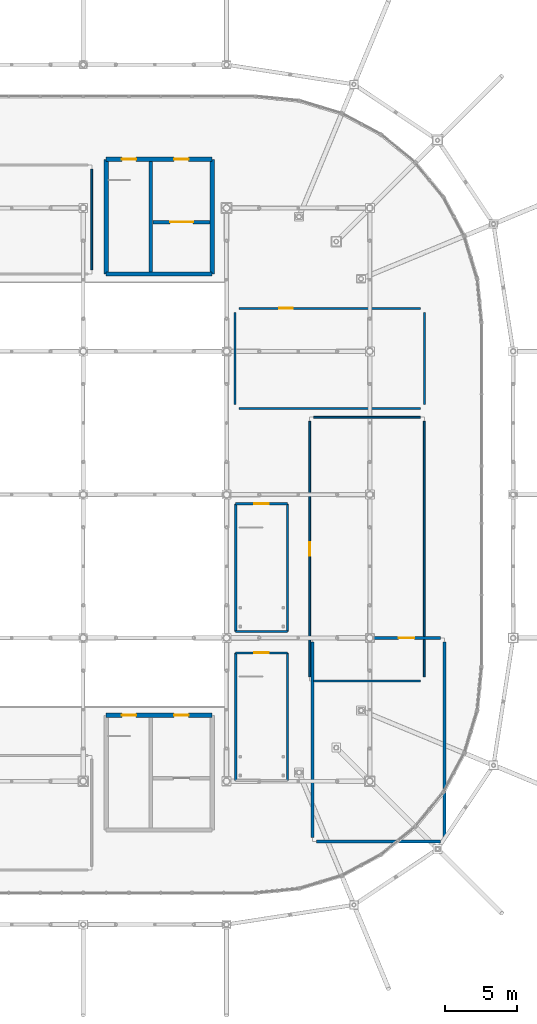
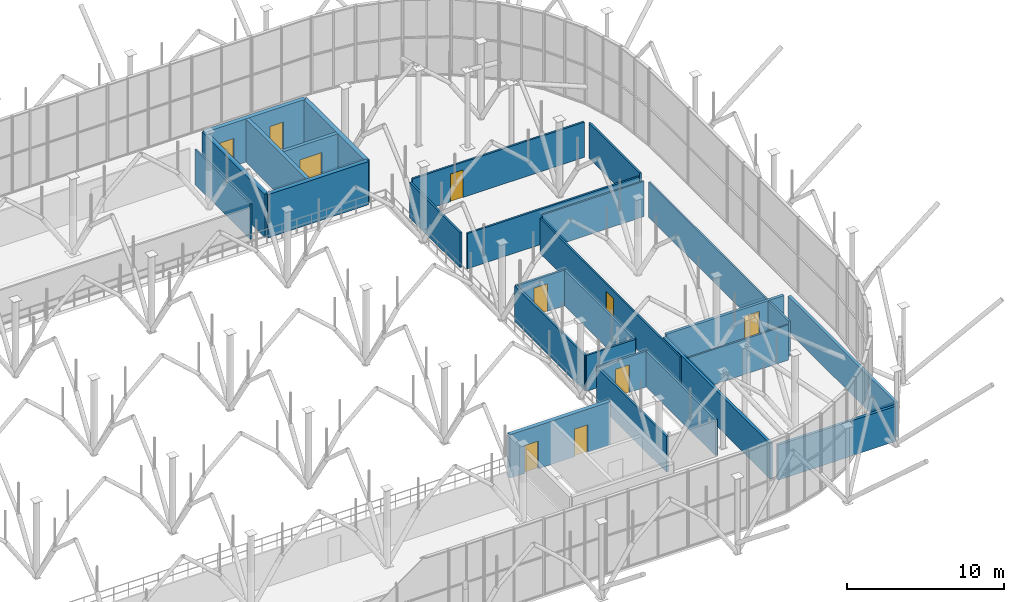
# One storey, part 98 of 109: 27 walls, 10 doors, 10 openings.
"""IFC4 building model written with IfcOpenShell, lengths in metres."""

from ifc_helpers import new_model, si_unit, derived_unit, direction, frame, frame_2d, origin, place, context, subcontext, project, spatial, rectangle, extrude, material, layer, layer_set, type_object, element, fill, save


model = new_model("IFC4")

# Units and contexts
model_context = context("Model", 3, precision=1e-05, world=origin(), true_north=direction((0.0, 1.0)))
body_context = subcontext(model_context, "Body", "Model", "MODEL_VIEW")
ifc_project = project(units=[si_unit("LENGTHUNIT", "METRE"), si_unit("AREAUNIT", "SQUARE_METRE"), si_unit("VOLUMEUNIT", "CUBIC_METRE"), si_unit("PLANEANGLEUNIT", "RADIAN"), si_unit("MASSUNIT", "GRAM", prefix="KILO"), derived_unit("THERMALTRANSMITTANCEUNIT", [(si_unit("POWERUNIT", "WATT"), 1), (si_unit("LENGTHUNIT", "METRE"), -2), (si_unit("THERMODYNAMICTEMPERATUREUNIT", "KELVIN"), -1)])], contexts=[model_context])

# Site, building, storey
site_placement = place(None, origin())
site = spatial("IfcSite", under=ifc_project, at=site_placement, CompositionType="ELEMENT")
building_placement = place(site_placement, origin())
building = spatial("IfcBuilding", under=site, at=building_placement, Name="Cinnabar Yard Market Hall", CompositionType="ELEMENT")
storey_placement = place(building_placement, frame((0.0, 0.0, 8.39990234375)))
storey = spatial("IfcBuildingStorey", under=building, at=storey_placement, Name="L02", CompositionType="ELEMENT", Elevation=8.39990234375)

# Walls
ifc_material_1 = material(Name="Acoustic steel-stud plasterboard", Category="steel")
ifc_layer_1 = layer(ifc_material_1, 0.1201171875)
ifc_layer_set_1 = layer_set([ifc_layer_1], Name="Acoustic steel-stud plasterboard")
wall_type_1 = type_object("IfcWallType", Name="WL-PT120", PredefinedType="PARTITIONING", material=ifc_layer_set_1)
wall_1_placement = place(storey_placement, frame((136.60009765625, 59.679931640625, 0.0), z_axis=(0.0, 0.0, 1.0), x_axis=(0.0, 1.0, 0.0)))
element("IfcWall", 1, at=wall_1_placement, inside=storey, type_object=wall_type_1, Name="Partition Upper North-East Botanical Lounge east", PredefinedType="PARTITIONING", context=body_context, shape_type="SweptSolid", body=[
    extrude(rectangle(XDim=7.0400390625, YDim=0.1201171875, at=frame_2d((3.52001953125, 0.0), x_axis=(1.0, 0.0))), origin(), (0.0, 0.0, 1.0), 2.739990234375),
])
wall_2_placement = place(storey_placement, frame((152.080078125, 31.0, 0.0), z_axis=(0.0, 0.0, 1.0), x_axis=(1.0, 0.0, 0.0)))
element("IfcWall", 2, at=wall_2_placement, inside=storey, type_object=wall_type_1, Name="Partition Upper East Regional Feast Room south", PredefinedType="PARTITIONING", context=body_context, shape_type="SweptSolid", body=[
    extrude(rectangle(XDim=7.43994140625, YDim=0.1201171875, at=frame_2d((3.719970703125, 0.0), x_axis=(1.0, 0.0))), origin(), (0.0, 0.0, 1.0), 2.739990234375),
])
wall_3_placement = place(storey_placement, frame((159.800048828125, 31.280029296875, 0.0), z_axis=(0.0, 0.0, 1.0), x_axis=(0.0, 1.0, 0.0)))
element("IfcWall", 3, at=wall_3_placement, inside=storey, type_object=wall_type_1, Name="Partition Upper East Regional Feast Room east", PredefinedType="PARTITIONING", context=body_context, shape_type="SweptSolid", body=[
    extrude(rectangle(XDim=17.840087890625, YDim=0.1201171875, at=frame_2d((8.919921875, 0.0), x_axis=(1.0, 0.0))), origin(), (0.0, 0.0, 1.0), 2.739990234375),
])
wall_4_placement = place(storey_placement, frame((159.52001953125, 49.39990234375, 0.0), z_axis=(0.0, 0.0, 1.0), x_axis=(-1.0, 0.0, 0.0)))
element("IfcWall", 4, at=wall_4_placement, inside=storey, type_object=wall_type_1, Name="Partition Upper East Regional Feast Room north", PredefinedType="PARTITIONING", context=body_context, shape_type="SweptSolid", body=[
    extrude(rectangle(XDim=7.43994140625, YDim=0.1201171875, at=frame_2d((3.719970703125, 0.0), x_axis=(1.0, 0.0))), origin(), (0.0, 0.0, 1.0), 2.739990234375),
])

# Wall, opening, door
wall_5_placement = place(storey_placement, frame((151.800048828125, 49.1201171875, 0.0), z_axis=(0.0, 0.0, 1.0), x_axis=(0.0, -1.0, 0.0)))
wall_5 = element("IfcWall", 5, at=wall_5_placement, inside=storey, type_object=wall_type_1, Name="Partition Upper East Regional Feast Room west", PredefinedType="PARTITIONING", context=body_context, shape_type="SweptSolid", body=[
    extrude(rectangle(XDim=17.840087890625, YDim=0.1201171875, at=frame_2d((8.919921875, 0.0), x_axis=(1.0, 0.0))), origin(), (0.0, 0.0, 1.0), 2.739990234375),
])
opening_1_placement = place(wall_5_placement, frame((8.445068359375, 0.0, 0.0)))
opening_1 = element("IfcOpeningElement", 6, at=opening_1_placement, cuts=wall_5, Name="Opening ID-164", PredefinedType="OPENING", context=body_context, shape_type="SweptSolid", body=[
    extrude(rectangle(XDim=0.949951171875, YDim=2.14990234375, at=frame_2d((0.47509765625, 1.074951171875), x_axis=(1.0, 0.0))), frame((0.0, 0.070068359375, 0.0), z_axis=(0.0, -1.0, 0.0), x_axis=(1.0, 0.0, 0.0)), (0.0, 0.0, 1.0), 0.14013671875),
])
ifc_material_2 = material(Name="Solid-core spotted gum timber", Category="wood")
door_type_1 = type_object("IfcDoorType", Name="DR-D06", OperationType="NOTDEFINED", PredefinedType="DOOR", material=ifc_material_2)
door_1_placement = place(opening_1_placement, origin())
door_1 = element("IfcDoor", 7, at=door_1_placement, inside=storey, type_object=door_type_1, Name="Interior Door ID-164", OperationType="SINGLE_SWING_LEFT", OverallHeight=2.14990234375, OverallWidth=0.949951171875, PredefinedType="DOOR", context=body_context, shape_type="SweptSolid", body=[
    extrude(rectangle(XDim=0.949951171875, YDim=2.14990234375, at=frame_2d((0.47509765625, 1.074951171875), x_axis=(1.0, 0.0))), frame((0.0, 0.02490234375, 0.0), z_axis=(0.0, -1.0, 0.0), x_axis=(1.0, 0.0, 0.0)), (0.0, 0.0, 1.0), 0.050048828125),
])
fill(opening_1, door_1)

# Walls
ifc_material_3 = material(Name="Moisture-resistant tiled service wall")
ifc_layer_2 = layer(ifc_material_3, 0.139892578125)
ifc_layer_set_2 = layer_set([ifc_layer_2], Name="Moisture-resistant tiled service wall")
wall_type_2 = type_object("IfcWallType", Name="WL-PT140", PredefinedType="PLUMBINGWALL", material=ifc_layer_set_2)
wall_6_placement = place(storey_placement, frame((146.8798828125, 50.0, 0.0), z_axis=(0.0, 0.0, 1.0), x_axis=(1.0, 0.0, 0.0)))
element("IfcWall", 8, at=wall_6_placement, inside=storey, type_object=wall_type_2, Name="Partition L02 Balcony Public and Accessible WC south", PredefinedType="PLUMBINGWALL", context=body_context, shape_type="SweptSolid", body=[
    extrude(rectangle(XDim=12.64013671875, YDim=0.139892578125, at=frame_2d((6.320068359375, 0.0), x_axis=(1.0, 0.0))), origin(), (0.0, 0.0, 1.0), 2.739990234375),
])
wall_7_placement = place(storey_placement, frame((159.800048828125, 50.280029296875, 0.0), z_axis=(0.0, 0.0, 1.0), x_axis=(0.0, 1.0, 0.0)))
element("IfcWall", 9, at=wall_7_placement, inside=storey, type_object=wall_type_2, Name="Partition L02 Balcony Public and Accessible WC east", PredefinedType="PLUMBINGWALL", context=body_context, shape_type="SweptSolid", body=[
    extrude(rectangle(XDim=6.43994140625, YDim=0.139892578125, at=frame_2d((3.219970703125, 0.0), x_axis=(1.0, 0.0))), origin(), (0.0, 0.0, 1.0), 2.739990234375),
])

# Wall, opening, door
wall_8_placement = place(storey_placement, frame((159.52001953125, 57.0, 0.0), z_axis=(0.0, 0.0, 1.0), x_axis=(-1.0, 0.0, 0.0)))
wall_8 = element("IfcWall", 10, at=wall_8_placement, inside=storey, type_object=wall_type_2, Name="Partition L02 Balcony Public and Accessible WC north", PredefinedType="PLUMBINGWALL", context=body_context, shape_type="SweptSolid", body=[
    extrude(rectangle(XDim=12.64013671875, YDim=0.139892578125, at=frame_2d((6.320068359375, 0.0), x_axis=(1.0, 0.0))), origin(), (0.0, 0.0, 1.0), 2.739990234375),
])
opening_2_placement = place(wall_8_placement, frame((8.9072265625, 0.0, 0.0)))
opening_2 = element("IfcOpeningElement", 11, at=opening_2_placement, cuts=wall_8, Name="Opening ID-165", PredefinedType="OPENING", context=body_context, shape_type="SweptSolid", body=[
    extrude(rectangle(XDim=0.919921875, YDim=2.14990234375, at=frame_2d((0.4599609375, 1.074951171875), x_axis=(1.0, 0.0))), frame((0.0, 0.079833984375, 0.0), z_axis=(0.0, -1.0, 0.0), x_axis=(1.0, 0.0, 0.0)), (0.0, 0.0, 1.0), 0.159912109375),
])
door_type_2 = type_object("IfcDoorType", Name="DR-D07", OperationType="NOTDEFINED", PredefinedType="DOOR", material=ifc_material_2)
door_2_placement = place(opening_2_placement, origin())
door_2 = element("IfcDoor", 12, at=door_2_placement, inside=storey, type_object=door_type_2, Name="Interior Door ID-165", OperationType="SINGLE_SWING_RIGHT", OverallHeight=2.14990234375, OverallWidth=0.919921875, PredefinedType="DOOR", context=body_context, shape_type="SweptSolid", body=[
    extrude(rectangle(XDim=0.919921875, YDim=2.14990234375, at=frame_2d((0.4599609375, 1.074951171875), x_axis=(1.0, 0.0))), frame((0.0, 0.02490234375, 0.0), z_axis=(0.0, -1.0, 0.0), x_axis=(1.0, 0.0, 0.0)), (0.0, 0.0, 1.0), 0.050048828125),
])
fill(opening_2, door_2)

# Walls
wall_9_placement = place(storey_placement, frame((146.60009765625, 56.719970703125, 0.0), z_axis=(0.0, 0.0, 1.0), x_axis=(0.0, -1.0, 0.0)))
element("IfcWall", 13, at=wall_9_placement, inside=storey, type_object=wall_type_2, Name="Partition L02 Balcony Public and Accessible WC west", PredefinedType="PLUMBINGWALL", context=body_context, shape_type="SweptSolid", body=[
    extrude(rectangle(XDim=6.43994140625, YDim=0.139892578125, at=frame_2d((3.219970703125, 0.0), x_axis=(1.0, 0.0))), origin(), (0.0, 0.0, 1.0), 2.739990234375),
])
ifc_material_4 = material(Name="Fire-rated steel-stud plasterboard", Category="steel")
ifc_layer_3 = layer(ifc_material_4, 0.14990234375)
ifc_layer_set_3 = layer_set([ifc_layer_3], Name="Fire-rated steel-stud plasterboard")
wall_type_3 = type_object("IfcWallType", Name="WL-PT150", PredefinedType="PARTITIONING", material=ifc_layer_set_3)
for number, where, z_axis, x_axis, name in (
    (14, (146.639892578125, 43.360107421875, 0.0), (0.0, 0.0, 1.0), (0.0, -1.0, 0.0), "Stair ST-F2 Shaft Wall W L02"),
    (15, (150.260009765625, 34.43994140625, 0.0), (0.0, 0.0, 1.0), (0.0, 1.0, 0.0), "Stair ST-F2 Shaft Wall E L02"),
):
    element("IfcWall", number, at=place(storey_placement, frame(where, z_axis=z_axis, x_axis=x_axis)), inside=storey, type_object=wall_type_3, Name=name, PredefinedType="PARTITIONING", context=body_context, shape_type="SweptSolid", body=[
        extrude(rectangle(XDim=8.920166015625, YDim=0.14990234375, at=frame_2d((4.4599609375, 0.0), x_axis=(1.0, 0.0))), origin(), (0.0, 0.0, 1.0), 2.780029296875),
    ])
wall_10_placement = place(storey_placement, frame((146.639892578125, 34.43994140625, 0.0), z_axis=(0.0, 0.0, 1.0), x_axis=(1.0, 0.0, 0.0)))
element("IfcWall", 16, at=wall_10_placement, inside=storey, type_object=wall_type_3, Name="Stair ST-F2 Shaft Wall S L02", PredefinedType="PARTITIONING", context=body_context, shape_type="SweptSolid", body=[
    extrude(rectangle(XDim=3.6201171875, YDim=0.14990234375, at=frame_2d((1.81005859375, 0.0), x_axis=(1.0, 0.0))), origin(), (0.0, 0.0, 1.0), 2.780029296875),
])

# Wall, opening, door
wall_11_placement = place(storey_placement, frame((150.260009765625, 43.360107421875, 0.0), z_axis=(0.0, 0.0, 1.0), x_axis=(-1.0, 0.0, 0.0)))
wall_11 = element("IfcWall", 17, at=wall_11_placement, inside=storey, type_object=wall_type_3, Name="Stair ST-F2 Shaft Wall N L02", PredefinedType="PARTITIONING", context=body_context, shape_type="SweptSolid", body=[
    extrude(rectangle(XDim=3.6201171875, YDim=0.14990234375, at=frame_2d((1.81005859375, 0.0), x_axis=(1.0, 0.0))), origin(), (0.0, 0.0, 1.0), 2.780029296875),
])
opening_3_placement = place(wall_11_placement, frame((1.31005859375, 0.0, 0.0)))
opening_3 = element("IfcOpeningElement", 18, at=opening_3_placement, cuts=wall_11, Name="Opening CD-070", PredefinedType="OPENING", context=body_context, shape_type="SweptSolid", body=[
    extrude(rectangle(XDim=1.0, YDim=2.14990234375, at=frame_2d((0.5, 1.074951171875), x_axis=(1.0, 0.0))), frame((0.0, 0.0849609375, 0.0), z_axis=(0.0, -1.0, 0.0), x_axis=(1.0, 0.0, 0.0)), (0.0, 0.0, 1.0), 0.169921875),
])
door_type_3 = type_object("IfcDoorType", Name="DR-D05", OperationType="NOTDEFINED", PredefinedType="DOOR", material=ifc_material_2)
door_3_placement = place(opening_3_placement, origin())
door_3 = element("IfcDoor", 19, at=door_3_placement, inside=storey, type_object=door_type_3, Name="Stair Door CD-070", OperationType="SINGLE_SWING_LEFT", OverallHeight=2.14990234375, OverallWidth=1.0, PredefinedType="DOOR", context=body_context, shape_type="SweptSolid", body=[
    extrude(rectangle(XDim=1.0, YDim=2.14990234375, at=frame_2d((0.5, 1.074951171875), x_axis=(1.0, 0.0))), frame((0.0, 0.02490234375, 0.0), z_axis=(0.0, -1.0, 0.0), x_axis=(1.0, 0.0, 0.0)), (0.0, 0.0, 1.0), 0.050048828125),
])
fill(opening_3, door_3)

# Walls
for number, where, z_axis, x_axis, name in (
    (20, (146.639892578125, 32.9599609375, 0.0), (0.0, 0.0, 1.0), (0.0, -1.0, 0.0), "Stair ST-F5 Shaft Wall W L02"),
    (21, (150.260009765625, 24.0400390625, 0.0), (0.0, 0.0, 1.0), (0.0, 1.0, 0.0), "Stair ST-F5 Shaft Wall E L02"),
):
    element("IfcWall", number, at=place(storey_placement, frame(where, z_axis=z_axis, x_axis=x_axis)), inside=storey, type_object=wall_type_3, Name=name, PredefinedType="PARTITIONING", context=body_context, shape_type="SweptSolid", body=[
        extrude(rectangle(XDim=8.919921875, YDim=0.14990234375, at=frame_2d((4.4599609375, 0.0), x_axis=(1.0, 0.0))), origin(), (0.0, 0.0, 1.0), 2.780029296875),
    ])

# Wall, opening, door
wall_12_placement = place(storey_placement, frame((150.260009765625, 32.9599609375, 0.0), z_axis=(0.0, 0.0, 1.0), x_axis=(-1.0, 0.0, 0.0)))
wall_12 = element("IfcWall", 22, at=wall_12_placement, inside=storey, type_object=wall_type_3, Name="Stair ST-F5 Shaft Wall N L02", PredefinedType="PARTITIONING", context=body_context, shape_type="SweptSolid", body=[
    extrude(rectangle(XDim=3.6201171875, YDim=0.14990234375, at=frame_2d((1.81005859375, 0.0), x_axis=(1.0, 0.0))), origin(), (0.0, 0.0, 1.0), 2.780029296875),
])
opening_4_placement = place(wall_12_placement, frame((1.31005859375, 0.0, 0.0)))
opening_4 = element("IfcOpeningElement", 23, at=opening_4_placement, cuts=wall_12, Name="Opening CD-080", PredefinedType="OPENING", context=body_context, shape_type="SweptSolid", body=[
    extrude(rectangle(XDim=1.0, YDim=2.14990234375, at=frame_2d((0.5, 1.074951171875), x_axis=(1.0, 0.0))), frame((0.0, 0.0849609375, 0.0), z_axis=(0.0, -1.0, 0.0), x_axis=(1.0, 0.0, 0.0)), (0.0, 0.0, 1.0), 0.169921875),
])
door_4_placement = place(opening_4_placement, origin())
door_4 = element("IfcDoor", 24, at=door_4_placement, inside=storey, type_object=door_type_3, Name="Stair Door CD-080", OperationType="SINGLE_SWING_LEFT", OverallHeight=2.14990234375, OverallWidth=1.0, PredefinedType="DOOR", context=body_context, shape_type="SweptSolid", body=[
    extrude(rectangle(XDim=1.0, YDim=2.14990234375, at=frame_2d((0.5, 1.074951171875), x_axis=(1.0, 0.0))), frame((0.0, 0.02490234375, 0.0), z_axis=(0.0, -1.0, 0.0), x_axis=(1.0, 0.0, 0.0)), (0.0, 0.0, 1.0), 0.050048828125),
])
fill(opening_4, door_4)

# Walls
ifc_material_5 = material(Name="Demountable timber-framed stall partition", Category="wood")
ifc_layer_4 = layer(ifc_material_5, 0.199951171875)
ifc_layer_set_4 = layer_set([ifc_layer_4], Name="Demountable timber-framed stall partition")
wall_type_4 = type_object("IfcWallType", Name="WL-PT200", PredefinedType="MOVABLE", material=ifc_layer_set_4)
wall_13_placement = place(storey_placement, frame((152.280029296875, 19.800048828125, 0.0), z_axis=(0.0, 0.0, 1.0), x_axis=(1.0, 0.0, 0.0)))
element("IfcWall", 25, at=wall_13_placement, inside=storey, type_object=wall_type_4, Name="Partition Upper South-East Spice Tasting Gallery south", PredefinedType="MOVABLE", context=body_context, shape_type="SweptSolid", body=[
    extrude(rectangle(XDim=8.639892578125, YDim=0.199951171875, at=frame_2d((4.31982421875, 0.0), x_axis=(1.0, 0.0))), origin(), (0.0, 0.0, 1.0), 2.739990234375),
])
wall_14_placement = place(storey_placement, frame((161.199951171875, 20.080078125, 0.0), z_axis=(0.0, 0.0, 1.0), x_axis=(0.0, 1.0, 0.0)))
element("IfcWall", 26, at=wall_14_placement, inside=storey, type_object=wall_type_4, Name="Partition Upper South-East Spice Tasting Gallery east", PredefinedType="MOVABLE", context=body_context, shape_type="SweptSolid", body=[
    extrude(rectangle(XDim=13.639892578125, YDim=0.199951171875, at=frame_2d((6.81982421875, 0.0), x_axis=(1.0, 0.0))), origin(), (0.0, 0.0, 1.0), 2.739990234375),
])

# Wall, opening, door
wall_15_placement = place(storey_placement, frame((160.919921875, 34.0, 0.0), z_axis=(0.0, 0.0, 1.0), x_axis=(-1.0, 0.0, 0.0)))
wall_15 = element("IfcWall", 27, at=wall_15_placement, inside=storey, type_object=wall_type_4, Name="Partition Upper South-East Spice Tasting Gallery north", PredefinedType="MOVABLE", context=body_context, shape_type="SweptSolid", body=[
    extrude(rectangle(XDim=8.639892578125, YDim=0.199951171875, at=frame_2d((4.31982421875, 0.0), x_axis=(1.0, 0.0))), origin(), (0.0, 0.0, 1.0), 2.739990234375),
])
opening_5_placement = place(wall_15_placement, frame((1.8095703125, 0.0, 0.0)))
opening_5 = element("IfcOpeningElement", 28, at=opening_5_placement, cuts=wall_15, Name="Opening ID-167", PredefinedType="OPENING", context=body_context, shape_type="SweptSolid", body=[
    extrude(rectangle(XDim=1.10009765625, YDim=2.14990234375, at=frame_2d((0.550048828125, 1.074951171875), x_axis=(1.0, 0.0))), frame((0.0, 0.10986328125, 0.0), z_axis=(0.0, -1.0, 0.0), x_axis=(1.0, 0.0, 0.0)), (0.0, 0.0, 1.0), 0.219970703125),
])
ifc_material_6 = material(Name="Anodised aluminium and acoustic glass", Category="aluminium")
door_type_4 = type_object("IfcDoorType", Name="DR-D09", OperationType="NOTDEFINED", PredefinedType="DOOR", material=ifc_material_6)
door_5_placement = place(opening_5_placement, origin())
door_5 = element("IfcDoor", 29, at=door_5_placement, inside=storey, type_object=door_type_4, Name="Interior Door ID-167", OperationType="SLIDING_TO_LEFT", OverallHeight=2.14990234375, OverallWidth=1.10009765625, PredefinedType="DOOR", context=body_context, shape_type="SweptSolid", body=[
    extrude(rectangle(XDim=1.10009765625, YDim=2.14990234375, at=frame_2d((0.550048828125, 1.074951171875), x_axis=(1.0, 0.0))), frame((0.0, 0.02490234375, 0.0), z_axis=(0.0, -1.0, 0.0), x_axis=(1.0, 0.0, 0.0)), (0.0, 0.0, 1.0), 0.050048828125),
])
fill(opening_5, door_5)

# Wall
wall_16_placement = place(storey_placement, frame((152.0, 33.719970703125, 0.0), z_axis=(0.0, 0.0, 1.0), x_axis=(0.0, -1.0, 0.0)))
element("IfcWall", 30, at=wall_16_placement, inside=storey, type_object=wall_type_4, Name="Partition Upper South-East Spice Tasting Gallery west", PredefinedType="MOVABLE", context=body_context, shape_type="SweptSolid", body=[
    extrude(rectangle(XDim=13.639892578125, YDim=0.199951171875, at=frame_2d((6.81982421875, 0.0), x_axis=(1.0, 0.0))), origin(), (0.0, 0.0, 1.0), 2.739990234375),
])

# Wall, openings, doors
ifc_material_7 = material(Name="Concrete 40 MPa", Category="concrete")
ifc_layer_5 = layer(ifc_material_7, 0.300048828125)
ifc_layer_set_5 = layer_set([ifc_layer_5], Name="Concrete 40 MPa")
wall_type_5 = type_object("IfcWallType", Name="WL-W-CORE", PredefinedType="SHEAR", material=ifc_layer_set_5)
wall_17_placement = place(storey_placement, frame((145.0, 28.60009765625, 0.0), z_axis=(0.0, 0.0, 1.0), x_axis=(-1.0, 0.0, 0.0)))
wall_17 = element("IfcWall", 31, at=wall_17_placement, inside=storey, type_object=wall_type_5, Name="Core C2 North Shear Wall L02", PredefinedType="SHEAR", context=body_context, shape_type="SweptSolid", body=[
    extrude(rectangle(XDim=7.39990234375, YDim=0.300048828125, at=frame_2d((3.699951171875, 0.0), x_axis=(1.0, 0.0))), origin(), (0.0, 0.0, 1.0), 3.360107421875),
])
opening_6_placement = place(wall_17_placement, frame((1.64990234375, 0.0, 0.0)))
opening_6 = element("IfcOpeningElement", 32, at=opening_6_placement, cuts=wall_17, Name="Opening CD-015", PredefinedType="OPENING", context=body_context, shape_type="SweptSolid", body=[
    extrude(rectangle(XDim=1.0, YDim=2.14990234375, at=frame_2d((0.5, 1.074951171875), x_axis=(1.0, 0.0))), frame((0.0, 0.159912109375, 0.0), z_axis=(0.0, -1.0, 0.0), x_axis=(1.0, 0.0, 0.0)), (0.0, 0.0, 1.0), 0.320068359375),
])
opening_7_placement = place(wall_17_placement, frame((5.300048828125, 0.0, 0.0)))
opening_7 = element("IfcOpeningElement", 33, at=opening_7_placement, cuts=wall_17, Name="Opening CD-016", PredefinedType="OPENING", context=body_context, shape_type="SweptSolid", body=[
    extrude(rectangle(XDim=1.0, YDim=2.14990234375, at=frame_2d((0.5, 1.074951171875), x_axis=(1.0, 0.0))), frame((0.0, 0.159912109375, 0.0), z_axis=(0.0, -1.0, 0.0), x_axis=(1.0, 0.0, 0.0)), (0.0, 0.0, 1.0), 0.320068359375),
])
door_6_placement = place(opening_6_placement, origin())
door_6 = element("IfcDoor", 34, at=door_6_placement, inside=storey, type_object=door_type_3, Name="Core Door CD-015", OperationType="SINGLE_SWING_RIGHT", OverallHeight=2.14990234375, OverallWidth=1.0, PredefinedType="DOOR", context=body_context, shape_type="SweptSolid", body=[
    extrude(rectangle(XDim=1.0, YDim=2.14990234375, at=frame_2d((0.5, 1.074951171875), x_axis=(1.0, 0.0))), frame((0.0, 0.02490234375, 0.0), z_axis=(0.0, -1.0, 0.0), x_axis=(1.0, 0.0, 0.0)), (0.0, 0.0, 1.0), 0.050048828125),
])
fill(opening_6, door_6)
door_7_placement = place(opening_7_placement, origin())
door_7 = element("IfcDoor", 35, at=door_7_placement, inside=storey, type_object=door_type_3, Name="Core Door CD-016", OperationType="SINGLE_SWING_LEFT", OverallHeight=2.14990234375, OverallWidth=1.0, PredefinedType="DOOR", context=body_context, shape_type="SweptSolid", body=[
    extrude(rectangle(XDim=1.0, YDim=2.14990234375, at=frame_2d((0.5, 1.074951171875), x_axis=(1.0, 0.0))), frame((0.0, 0.02490234375, 0.0), z_axis=(0.0, -1.0, 0.0), x_axis=(1.0, 0.0, 0.0)), (0.0, 0.0, 1.0), 0.050048828125),
])
fill(opening_7, door_7)

# Walls
for number, where, z_axis, x_axis, name in (
    (36, (137.60009765625, 67.39990234375, 0.0), (0.0, 0.0, 1.0), (0.0, -1.0, 0.0), "Core C7 West Shear Wall L02"),
    (37, (145.0, 59.39990234375, 0.0), (0.0, 0.0, 1.0), (0.0, 1.0, 0.0), "Core C7 East Shear Wall L02"),
):
    element("IfcWall", number, at=place(storey_placement, frame(where, z_axis=z_axis, x_axis=x_axis)), inside=storey, type_object=wall_type_5, Name=name, PredefinedType="SHEAR", context=body_context, shape_type="SweptSolid", body=[
        extrude(rectangle(XDim=8.0, YDim=0.300048828125, at=frame_2d((4.0, 0.0), x_axis=(1.0, 0.0))), origin(), (0.0, 0.0, 1.0), 3.360107421875),
    ])
wall_18_placement = place(storey_placement, frame((137.60009765625, 59.39990234375, 0.0), z_axis=(0.0, 0.0, 1.0), x_axis=(1.0, 0.0, 0.0)))
element("IfcWall", 38, at=wall_18_placement, inside=storey, type_object=wall_type_5, Name="Core C7 South Shear Wall L02", PredefinedType="SHEAR", context=body_context, shape_type="SweptSolid", body=[
    extrude(rectangle(XDim=7.39990234375, YDim=0.300048828125, at=frame_2d((3.699951171875, 0.0), x_axis=(1.0, 0.0))), origin(), (0.0, 0.0, 1.0), 3.360107421875),
])

# Wall, openings, doors
wall_19_placement = place(storey_placement, frame((145.0, 67.39990234375, 0.0), z_axis=(0.0, 0.0, 1.0), x_axis=(-1.0, 0.0, 0.0)))
wall_19 = element("IfcWall", 39, at=wall_19_placement, inside=storey, type_object=wall_type_5, Name="Core C7 North Shear Wall L02", PredefinedType="SHEAR", context=body_context, shape_type="SweptSolid", body=[
    extrude(rectangle(XDim=7.39990234375, YDim=0.300048828125, at=frame_2d((3.699951171875, 0.0), x_axis=(1.0, 0.0))), origin(), (0.0, 0.0, 1.0), 3.360107421875),
])
opening_8_placement = place(wall_19_placement, frame((1.64990234375, 0.0, 0.0)))
opening_8 = element("IfcOpeningElement", 40, at=opening_8_placement, cuts=wall_19, Name="Opening CD-059", PredefinedType="OPENING", context=body_context, shape_type="SweptSolid", body=[
    extrude(rectangle(XDim=1.0, YDim=2.14990234375, at=frame_2d((0.5, 1.074951171875), x_axis=(1.0, 0.0))), frame((0.0, 0.159912109375, 0.0), z_axis=(0.0, -1.0, 0.0), x_axis=(1.0, 0.0, 0.0)), (0.0, 0.0, 1.0), 0.320068359375),
])
opening_9_placement = place(wall_19_placement, frame((5.300048828125, 0.0, 0.0)))
opening_9 = element("IfcOpeningElement", 41, at=opening_9_placement, cuts=wall_19, Name="Opening CD-060", PredefinedType="OPENING", context=body_context, shape_type="SweptSolid", body=[
    extrude(rectangle(XDim=1.0, YDim=2.14990234375, at=frame_2d((0.5, 1.074951171875), x_axis=(1.0, 0.0))), frame((0.0, 0.159912109375, 0.0), z_axis=(0.0, -1.0, 0.0), x_axis=(1.0, 0.0, 0.0)), (0.0, 0.0, 1.0), 0.320068359375),
])
door_8_placement = place(opening_8_placement, origin())
door_8 = element("IfcDoor", 42, at=door_8_placement, inside=storey, type_object=door_type_3, Name="Core Door CD-059", OperationType="SINGLE_SWING_RIGHT", OverallHeight=2.14990234375, OverallWidth=1.0, PredefinedType="DOOR", context=body_context, shape_type="SweptSolid", body=[
    extrude(rectangle(XDim=1.0, YDim=2.14990234375, at=frame_2d((0.5, 1.074951171875), x_axis=(1.0, 0.0))), frame((0.0, 0.02490234375, 0.0), z_axis=(0.0, -1.0, 0.0), x_axis=(1.0, 0.0, 0.0)), (0.0, 0.0, 1.0), 0.050048828125),
])
fill(opening_8, door_8)
door_9_placement = place(opening_9_placement, origin())
door_9 = element("IfcDoor", 43, at=door_9_placement, inside=storey, type_object=door_type_3, Name="Core Door CD-060", OperationType="SINGLE_SWING_LEFT", OverallHeight=2.14990234375, OverallWidth=1.0, PredefinedType="DOOR", context=body_context, shape_type="SweptSolid", body=[
    extrude(rectangle(XDim=1.0, YDim=2.14990234375, at=frame_2d((0.5, 1.074951171875), x_axis=(1.0, 0.0))), frame((0.0, 0.02490234375, 0.0), z_axis=(0.0, -1.0, 0.0), x_axis=(1.0, 0.0, 0.0)), (0.0, 0.0, 1.0), 0.050048828125),
])
fill(opening_9, door_9)

# Wall
ifc_layer_6 = layer(ifc_material_7, 0.25)
ifc_layer_set_6 = layer_set([ifc_layer_6], Name="Concrete 40 MPa")
wall_type_6 = type_object("IfcWallType", Name="WL-W-SHAFT", PredefinedType="SHEAR", material=ifc_layer_set_6)
wall_20_placement = place(storey_placement, frame((140.715087890625, 59.550048828125, 0.0), z_axis=(0.0, 0.0, 1.0), x_axis=(0.0, 1.0, 0.0)))
element("IfcWall", 44, at=wall_20_placement, inside=storey, type_object=wall_type_6, Name="Core C7 Shaft Divider L02", PredefinedType="SHEAR", context=body_context, shape_type="SweptSolid", body=[
    extrude(rectangle(XDim=7.699951171875, YDim=0.25, at=frame_2d((3.85009765625, 0.0), x_axis=(1.0, 0.0))), origin(), (0.0, 0.0, 1.0), 3.360107421875),
])

# Wall, opening, door
wall_21_placement = place(storey_placement, frame((140.8798828125, 63.02001953125, 0.0), z_axis=(0.0, 0.0, 1.0), x_axis=(1.0, 0.0, 0.0)))
wall_21 = element("IfcWall", 45, at=wall_21_placement, inside=storey, type_object=wall_type_6, Name="Core C7 Lift Front Wall L02", PredefinedType="SHEAR", context=body_context, shape_type="SweptSolid", body=[
    extrude(rectangle(XDim=3.97021484375, YDim=0.25, at=frame_2d((1.985107421875, 0.0), x_axis=(1.0, 0.0))), origin(), (0.0, 0.0, 1.0), 3.360107421875),
])
opening_10_placement = place(wall_21_placement, frame((1.18505859375, 0.0, 0.0)))
opening_10 = element("IfcOpeningElement", 46, at=opening_10_placement, cuts=wall_21, Name="Opening LD-LG-01-L02", PredefinedType="OPENING", context=body_context, shape_type="SweptSolid", body=[
    extrude(rectangle(XDim=1.60009765625, YDim=2.300048828125, at=frame_2d((0.800048828125, 1.14990234375), x_axis=(1.0, 0.0))), frame((0.0, 0.135009765625, 0.0), z_axis=(0.0, -1.0, 0.0), x_axis=(1.0, 0.0, 0.0)), (0.0, 0.0, 1.0), 0.27001953125),
])
ifc_material_8 = material(Name="Heavy-duty stainless steel goods landing door", Category="steel")
door_type_5 = type_object("IfcDoorType", Name="DR-LD02", OperationType="NOTDEFINED", PredefinedType="DOOR", material=ifc_material_8)
door_10_placement = place(opening_10_placement, origin())
door_10 = element("IfcDoor", 47, at=door_10_placement, inside=storey, type_object=door_type_5, Name="Lift Landing Door LD-LG-01-L02", OperationType="SLIDING_TO_RIGHT", OverallHeight=2.300048828125, OverallWidth=1.60009765625, PredefinedType="DOOR", context=body_context, shape_type="SweptSolid", body=[
    extrude(rectangle(XDim=1.60009765625, YDim=2.300048828125, at=frame_2d((0.800048828125, 1.14990234375), x_axis=(1.0, 0.0))), frame((0.0, 0.02490234375, 0.0), z_axis=(0.0, -1.0, 0.0), x_axis=(1.0, 0.0, 0.0)), (0.0, 0.0, 1.0), 0.050048828125),
])
fill(opening_10, door_10)

save(model, "model.ifc")
